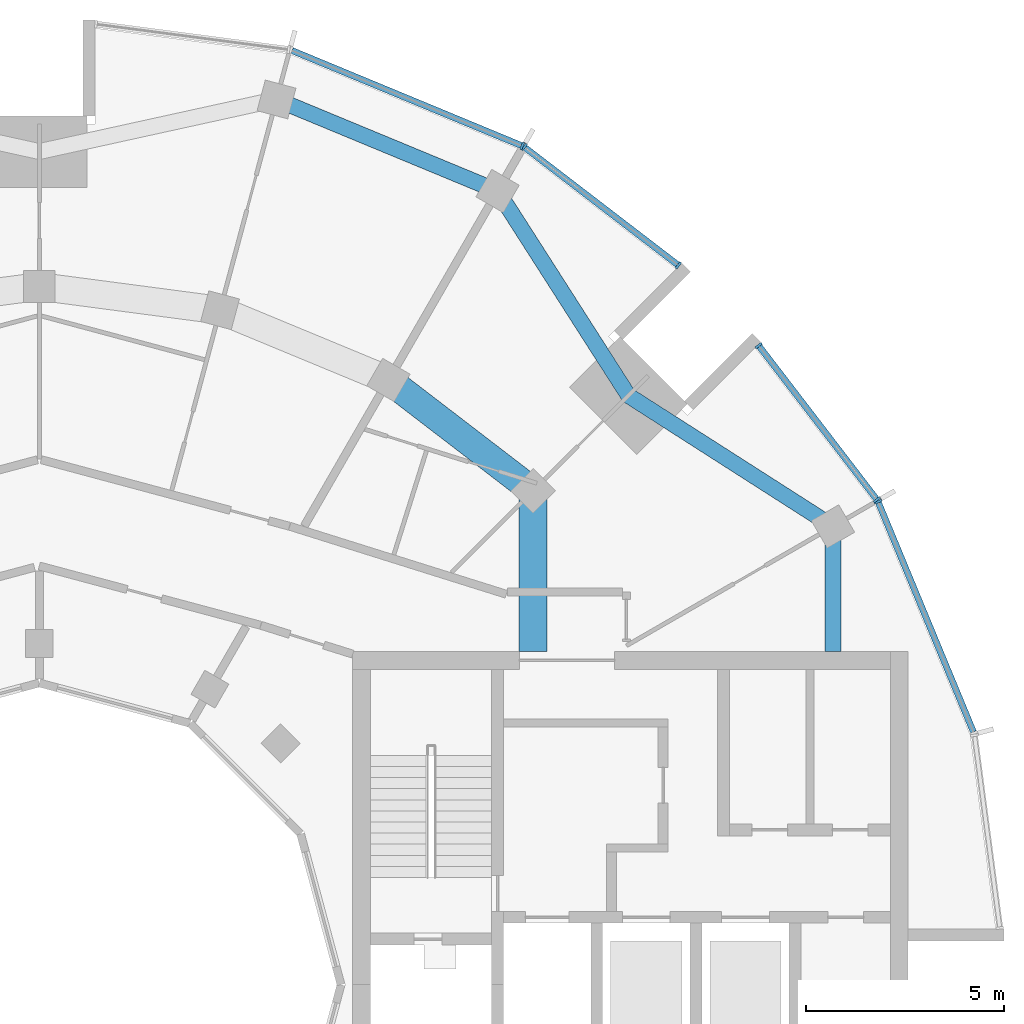
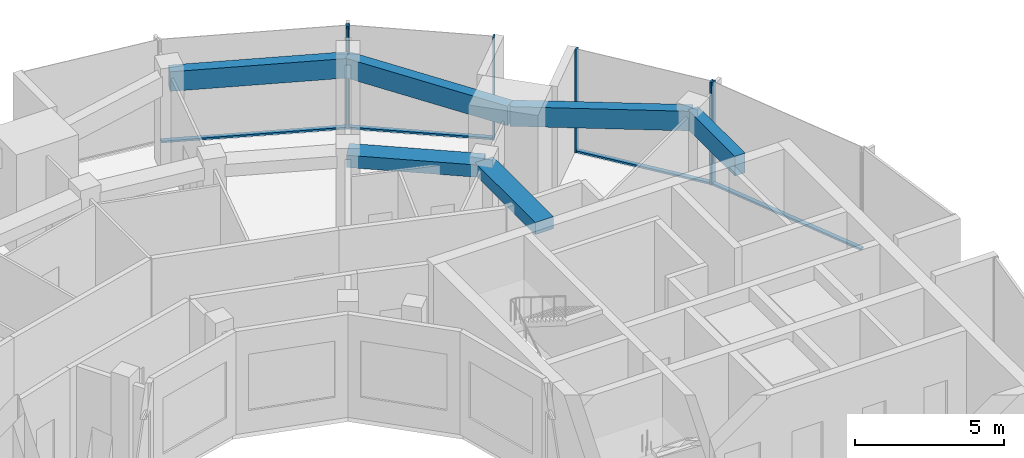
# One storey, part 6 of 15: 10 members, 6 beams, 4 elements without a shape of their own.
"""IFC4 building model written with IfcOpenShell, lengths in metres."""

import ifcopenshell
import ifcopenshell.guid

model = None  # the IFC model being written
_history = None  # IfcOwnerHistory: only IFC2X3 demands one
_inside = {}  # id of a spatial element -> (the spatial element, [elements in it])
_under = {}  # id of a project, library or spatial element -> (it, [spatial elements below it])
_declared = {}  # id of a project -> (the project, [libraries it declares])
_typed = {}  # id of a type object -> (the type object, [elements of that type])
_made_of = {}  # id of a material, layer set ... -> (it, [elements and type objects made of it])


def new_model(schema):
    """Start an empty IFC model of exactly this schema.

    Asked for "IFC4X3", IfcOpenShell would pick the latest addendum, in which some entities
    have other attributes; the version numbers below select the first issue.
    IFC2X3 requires an IfcOwnerHistory on every rooted entity: one is made here for all.
    """
    global model, _history
    if schema == "IFC4X3":
        model = ifcopenshell.file(schema_version=(4, 3, 0, 0))
    else:
        model = ifcopenshell.file(schema=schema)
    _inside.clear()
    _under.clear()
    _declared.clear()
    _typed.clear()
    _made_of.clear()
    _history = None
    if model.schema == "IFC2X3":
        org = make("IfcOrganization", Name="unknown")
        user = make(
            "IfcPersonAndOrganization",
            ThePerson=make("IfcPerson", FamilyName="unknown"),
            TheOrganization=org,
        )
        app = make(
            "IfcApplication",
            ApplicationDeveloper=org,
            Version="unknown",
            ApplicationFullName="unknown",
            ApplicationIdentifier="unknown",
        )
        _history = make(
            "IfcOwnerHistory",
            OwningUser=user,
            OwningApplication=app,
            ChangeAction="ADDED",
            CreationDate=0,
        )
    return model


def make(cls, **values):
    """One entity of the class cls with the attributes given. An attribute that is None is left unset."""
    return model.create_entity(
        cls, **{name: value for name, value in values.items() if value is not None}
    )


def rooted(cls, **values):
    """An entity with a GlobalId (a new one), such as an element, a storey or a relation."""
    return make(cls, GlobalId=ifcopenshell.guid.new(), OwnerHistory=_history, **values)


def si_unit(unit_type, name, prefix=None):
    """IfcSIUnit, for example si_unit("LENGTHUNIT", "METRE", prefix="MILLI")."""
    return make("IfcSIUnit", UnitType=unit_type, Prefix=prefix, Name=name)


def assignment(units):
    """IfcUnitAssignment: the units of a project."""
    return None if units is None else make("IfcUnitAssignment", Units=units)


def point(xyz):
    """IfcCartesianPoint."""
    return None if xyz is None else make("IfcCartesianPoint", Coordinates=xyz)


def direction(xyz):
    """IfcDirection."""
    return None if xyz is None else make("IfcDirection", DirectionRatios=xyz)


def frame(location, z_axis=None, x_axis=None):
    """IfcAxis2Placement3D, a coordinate frame: its origin and axes. An axis left out is left unset."""
    return make(
        "IfcAxis2Placement3D",
        Location=point(location),
        Axis=direction(z_axis),
        RefDirection=direction(x_axis),
    )


def frame_2d(location, x_axis=None):
    """IfcAxis2Placement2D, a coordinate frame in the plane: its origin and x axis."""
    return make(
        "IfcAxis2Placement2D", Location=point(location), RefDirection=direction(x_axis)
    )


def origin():
    """The frame at (0, 0, 0) with its axes left unset."""
    return frame((0.0, 0.0, 0.0))


def origin_2d():
    """The frame at (0, 0) in the plane with its x axis left unset."""
    return frame_2d((0.0, 0.0))


def place(relative_to, where):
    """IfcLocalPlacement: puts the frame where relative to a parent placement (None: the world)."""
    return make(
        "IfcLocalPlacement", PlacementRelTo=relative_to, RelativePlacement=where
    )


def context(
    kind, dimensions, precision=None, world=None, true_north=None, identifier=None
):
    """IfcGeometricRepresentationContext, for example the 3D "Model" context."""
    return make(
        "IfcGeometricRepresentationContext",
        ContextIdentifier=identifier,
        ContextType=kind,
        CoordinateSpaceDimension=dimensions,
        Precision=precision,
        WorldCoordinateSystem=world,
        TrueNorth=true_north,
    )


def subcontext(parent, identifier, kind, view, scale=None):
    """IfcGeometricRepresentationSubContext, for example "Body" below "Model"."""
    return make(
        "IfcGeometricRepresentationSubContext",
        ContextIdentifier=identifier,
        ContextType=kind,
        ParentContext=parent,
        TargetScale=scale,
        TargetView=view,
    )


def project(units=None, contexts=None):
    """IfcProject with its units and contexts."""
    return rooted(
        "IfcProject",
        Name="project",
        RepresentationContexts=contexts,
        UnitsInContext=assignment(units),
    )


def spatial(cls, under=None, at=None, **own):
    """A site, building, storey or space (cls), placed at a placement, below another one or the project."""
    s = rooted(cls, ObjectPlacement=at, **own)
    if under is not None:
        _under.setdefault(under.id(), (under, []))[1].append(s)
    return s


def profile(cls, at=None, kind="AREA", **sizes):
    """A parametric profile (cls). Its sizes go by their IFC names, for example OverallWidth=200.0."""
    return make(cls, ProfileType=kind, Position=at, **sizes)


def rectangle(**sizes):
    """IfcRectangleProfileDef."""
    return profile("IfcRectangleProfileDef", **sizes)


def extrude(swept, where, along, depth):
    """IfcExtrudedAreaSolid: the profile swept, set in the frame where, extruded along a direction by depth."""
    return make(
        "IfcExtrudedAreaSolid",
        SweptArea=swept,
        Position=where,
        ExtrudedDirection=direction(along),
        Depth=depth,
    )


def shape(context_of_items, identifier, shape_type, items):
    """IfcShapeRepresentation: the items that make up one representation, for example the "Body"."""
    return make(
        "IfcShapeRepresentation",
        ContextOfItems=context_of_items,
        RepresentationIdentifier=identifier,
        RepresentationType=shape_type,
        Items=items,
    )


def material(Name=None, Category=None):
    """IfcMaterial."""
    return make("IfcMaterial", Name=Name, Category=Category)


def layer(
    of_material, thickness, ventilated=None, Name=None, Category=None, Priority=None
):
    """IfcMaterialLayer: one layer of a wall or slab, of a material (None: an air gap)."""
    return make(
        "IfcMaterialLayer",
        Material=of_material,
        LayerThickness=thickness,
        IsVentilated=ventilated,
        Name=Name,
        Category=Category,
        Priority=Priority,
    )


def layer_set(layers, Name=None):
    """IfcMaterialLayerSet."""
    return make("IfcMaterialLayerSet", MaterialLayers=layers, LayerSetName=Name)


def material_profile(
    of_material, cross_section, Name=None, Category=None, Priority=None
):
    """IfcMaterialProfile: a cross section and its material."""
    return make(
        "IfcMaterialProfile",
        Name=Name,
        Material=of_material,
        Profile=cross_section,
        Priority=Priority,
        Category=Category,
    )


def profile_set(profiles, Name=None, composite=None):
    """IfcMaterialProfileSet."""
    return make(
        "IfcMaterialProfileSet",
        Name=Name,
        MaterialProfiles=profiles,
        CompositeProfile=composite,
    )


def made_of(thing, what):
    """Note that an element or type object is made of a material, layer set ...; save() writes the relation."""
    if what is not None:
        _made_of.setdefault(what.id(), (what, []))[1].append(thing)
    return thing


def type_object(cls, material=None, **own):
    """A type object (cls), such as IfcWallType, which elements share."""
    return made_of(rooted(cls, **own), material)


def element(
    cls,
    number,
    at=None,
    inside=None,
    cuts=None,
    type_object=None,
    material=None,
    context=None,
    identifier="Body",
    shape_type=None,
    held_by="IfcProductDefinitionShape",
    body=None,
    shapes=None,
    **own,
):
    """One element of the class cls, such as IfcWall. Its Tag is "e" and its number.

    at: its placement. inside: the storey or other place that contains it. cuts: it is an
    opening in that element (IfcRelVoidsElement). A single representation is given by context,
    identifier, shape_type and body (its items); several are given by shapes. held_by: the class
    of the entity that holds the representations. save() writes the other relations.
    """
    e = rooted(cls, Tag="e%d" % number, ObjectPlacement=at, **own)
    if body is not None:
        shapes = [shape(context, identifier, shape_type, body)]
    if shapes is not None:
        e.Representation = make(held_by, Representations=shapes)
    if inside is not None:
        _inside.setdefault(inside.id(), (inside, []))[1].append(e)
    if cuts is not None:
        rooted(
            "IfcRelVoidsElement", RelatingBuildingElement=cuts, RelatedOpeningElement=e
        )
    if type_object is not None:
        _typed.setdefault(type_object.id(), (type_object, []))[1].append(e)
    return made_of(e, material)


def aggregate(whole, parts):
    """IfcRelAggregates: a whole, such as a stair, and the parts it consists of."""
    return rooted("IfcRelAggregates", RelatingObject=whole, RelatedObjects=parts)


def save(model, path):
    """Write the relations noted so far, then the file.

    IfcRelAggregates (storeys below a building ...), IfcRelContainedInSpatialStructure (elements
    in a storey), IfcRelDefinesByType, IfcRelAssociatesMaterial and IfcRelDeclares: one each for
    every whole, place, type object, material and project.
    """
    for whole, parts in _under.values():
        aggregate(whole, parts)
    for where, things in _inside.values():
        rooted(
            "IfcRelContainedInSpatialStructure",
            RelatedElements=things,
            RelatingStructure=where,
        )
    for kind, things in _typed.values():
        rooted("IfcRelDefinesByType", RelatedObjects=things, RelatingType=kind)
    for what, things in _made_of.values():
        rooted("IfcRelAssociatesMaterial", RelatedObjects=things, RelatingMaterial=what)
    for by, libraries in _declared.values():
        rooted("IfcRelDeclares", RelatingContext=by, RelatedDefinitions=libraries)
    model.write(path)


model = new_model("IFC4")

# Units and contexts
model_context = context("Model", 3, precision=1e-05, world=origin(), true_north=direction((0.0, 1.0)))
body_context = subcontext(model_context, "Body", "Model", "MODEL_VIEW")
ifc_project = project(units=[si_unit("LENGTHUNIT", "METRE"), si_unit("AREAUNIT", "SQUARE_METRE"), si_unit("VOLUMEUNIT", "CUBIC_METRE"), si_unit("PLANEANGLEUNIT", "RADIAN"), si_unit("MASSUNIT", "GRAM", prefix="KILO")], contexts=[model_context])

# Site, building, storey
site_placement = place(None, origin())
site = spatial("IfcSite", under=ifc_project, at=site_placement, CompositionType="ELEMENT")
building_placement = place(site_placement, origin())
building = spatial("IfcBuilding", under=site, at=building_placement, Name="Torre Brocal", CompositionType="ELEMENT")
storey_placement = place(building_placement, frame((0.0, 0.0, 279.89990234375)))
storey = spatial("IfcBuildingStorey", under=building, at=storey_placement, Name="L64", CompositionType="ELEMENT", Elevation=279.89990234375)

# Curtain wall, member
ifc_material_1 = material(Name="Aluminium and glass", Category="aluminium")
ifc_layer = layer(ifc_material_1, 0.199951171875)
ifc_layer_set = layer_set([ifc_layer], Name="Aluminium and glass")
curtain_wall_type = type_object("IfcCurtainWallType", Name="CW-1 CURTAIN WALL 4200 HIGH", PredefinedType="NOTDEFINED", material=ifc_layer_set)
curtain_wall_1_placement = place(storey_placement, origin())
curtain_wall_1 = element("IfcCurtainWall", 1, at=curtain_wall_1_placement, inside=storey, type_object=curtain_wall_type, Name="CW-1 RUN 2", PredefinedType="NOTDEFINED")
ifc_material_2 = material(Name="Aluminium, dark anodised", Category="aluminium")
ifc_material_profile_1 = material_profile(ifc_material_2, rectangle(XDim=0.199951171875, YDim=0.06005859375, at=origin_2d()), Name="CW-1 MULLION 60X200")
ifc_profile_set_1 = profile_set([ifc_material_profile_1], Name="Aluminium, dark anodised")
member_type_1 = type_object("IfcMemberType", Name="CW-1 MULLION 60X200", PredefinedType="MULLION", material=ifc_profile_set_1)
member_1_placement = place(storey_placement, frame((101.141845703125, 87.171875, 0.0), z_axis=(0.0, 0.0, 1.0), x_axis=(-0.923879532471, -0.382683432462, 0.0)))
member_1 = element("IfcMember", 2, at=member_1_placement, type_object=member_type_1, Name="CW1-5 mullion 2", PredefinedType="MULLION", context=body_context, shape_type="SweptSolid", body=[
    extrude(rectangle(XDim=0.199951171875, YDim=0.06005859375, at=origin_2d()), origin(), (0.0, 0.0, 1.0), 4.2001953125),
])

# Curtain wall, members
curtain_wall_2_placement = place(storey_placement, origin())
curtain_wall_2 = element("IfcCurtainWall", 3, at=curtain_wall_2_placement, inside=storey, type_object=curtain_wall_type, Name="CW-1 RUN 3", PredefinedType="NOTDEFINED")
member_2_placement = place(storey_placement, frame((101.112060546875, 87.223388671875, 0.0), z_axis=(0.0, 0.0, 1.0), x_axis=(-0.793353340344, -0.608761428939, 0.0)))
member_2 = element("IfcMember", 4, at=member_2_placement, type_object=member_type_1, Name="CW1-5 mullion 1", PredefinedType="MULLION", context=body_context, shape_type="SweptSolid", body=[
    extrude(rectangle(XDim=0.199951171875, YDim=0.06005859375, at=origin_2d()), origin(), (0.0, 0.0, 1.0), 4.2001953125),
])
member_3_placement = place(storey_placement, frame((98.130615234375, 91.108642578125, 0.0), z_axis=(0.0, 0.0, 1.0), x_axis=(-0.793353340344, -0.608761428939, 0.0)))
member_3 = element("IfcMember", 5, at=member_3_placement, type_object=member_type_1, Name="CW1-5 mullion 2", PredefinedType="MULLION", context=body_context, shape_type="SweptSolid", body=[
    extrude(rectangle(XDim=0.199951171875, YDim=0.06005859375, at=origin_2d()), origin(), (0.0, 0.0, 1.0), 4.2001953125),
])

curtain_wall_3_placement = place(storey_placement, origin())
curtain_wall_3 = element("IfcCurtainWall", 6, at=curtain_wall_3_placement, inside=storey, type_object=curtain_wall_type, Name="CW-1 RUN 4", PredefinedType="NOTDEFINED")
member_4_placement = place(storey_placement, frame((96.108642578125, 93.130615234375, 0.0), z_axis=(0.0, 0.0, 1.0), x_axis=(-0.608761428939, -0.793353340344, 0.0)))
member_4 = element("IfcMember", 7, at=member_4_placement, type_object=member_type_1, Name="CW1-5 mullion 1", PredefinedType="MULLION", context=body_context, shape_type="SweptSolid", body=[
    extrude(rectangle(XDim=0.199951171875, YDim=0.06005859375, at=origin_2d()), origin(), (0.0, 0.0, 1.0), 4.2001953125),
])
member_5_placement = place(storey_placement, frame((92.223388671875, 96.112060546875, 0.0), z_axis=(0.0, 0.0, 1.0), x_axis=(-0.608761428939, -0.793353340344, 0.0)))
member_5 = element("IfcMember", 8, at=member_5_placement, type_object=member_type_1, Name="CW1-5 mullion 2", PredefinedType="MULLION", context=body_context, shape_type="SweptSolid", body=[
    extrude(rectangle(XDim=0.199951171875, YDim=0.06005859375, at=origin_2d()), origin(), (0.0, 0.0, 1.0), 4.2001953125),
])

# Curtain wall, member
curtain_wall_4_placement = place(storey_placement, origin())
curtain_wall_4 = element("IfcCurtainWall", 9, at=curtain_wall_4_placement, inside=storey, type_object=curtain_wall_type, Name="CW-1 RUN 5", PredefinedType="NOTDEFINED")
member_6_placement = place(storey_placement, frame((92.171875, 96.141845703125, 0.0), z_axis=(0.0, 0.0, 1.0), x_axis=(-0.382683432462, -0.923879532471, 0.0)))
member_6 = element("IfcMember", 10, at=member_6_placement, type_object=member_type_1, Name="CW1-5 mullion 1", PredefinedType="MULLION", context=body_context, shape_type="SweptSolid", body=[
    extrude(rectangle(XDim=0.199951171875, YDim=0.06005859375, at=origin_2d()), origin(), (0.0, 0.0, 1.0), 4.2001953125),
])

# Member
ifc_material_3 = material(Name="Aluminium, dark anodised", Category="aluminium")
ifc_material_profile_2 = material_profile(ifc_material_3, rectangle(XDim=0.159912109375, YDim=0.080078125, at=origin_2d()), Name="CW-1 TRANSOM 160X80")
ifc_profile_set_2 = profile_set([ifc_material_profile_2], Name="Aluminium, dark anodised")
member_type_2 = type_object("IfcMemberType", Name="CW-1 TRANSOM 160X80", PredefinedType="USERDEFINED", material=ifc_profile_set_2)
member_7_placement = place(storey_placement, frame((103.544677734375, 81.370361328125, 0.0400390625), z_axis=(-0.382658872004, 0.923889705363, 0.0), x_axis=(-0.923889705363, -0.382658872004, 0.0)))
member_7 = element("IfcMember", 11, at=member_7_placement, type_object=member_type_2, Name="CW1-5 transom 1.1", ObjectType="TRANSOM", PredefinedType="USERDEFINED", context=body_context, shape_type="SweptSolid", body=[
    extrude(rectangle(XDim=0.159912109375, YDim=0.080078125, at=origin_2d()), origin(), (0.0, 0.0, 1.0), 6.249267578125),
])

aggregate(curtain_wall_1, [member_1, member_7])

member_8_placement = place(storey_placement, frame((101.09375, 87.2470703125, 0.0400390625), z_axis=(-0.608749350163, 0.793362608569, 0.0), x_axis=(-0.793362608569, -0.608749350163, 0.0)))
member_8 = element("IfcMember", 12, at=member_8_placement, type_object=member_type_2, Name="CW1-5 transom 1.1", ObjectType="TRANSOM", PredefinedType="USERDEFINED", context=body_context, shape_type="SweptSolid", body=[
    extrude(rectangle(XDim=0.159912109375, YDim=0.080078125, at=origin_2d()), origin(), (0.0, 0.0, 1.0), 4.83740234375),
])

aggregate(curtain_wall_2, [member_2, member_3, member_8])

member_9_placement = place(storey_placement, frame((96.0849609375, 93.14892578125, 0.0400390625), z_axis=(-0.793362608569, 0.608749350163, 0.0), x_axis=(-0.608749350163, -0.793362608569, 0.0)))
member_9 = element("IfcMember", 13, at=member_9_placement, type_object=member_type_2, Name="CW1-5 transom 1.1", ObjectType="TRANSOM", PredefinedType="USERDEFINED", context=body_context, shape_type="SweptSolid", body=[
    extrude(rectangle(XDim=0.159912109375, YDim=0.080078125, at=origin_2d()), origin(), (0.0, 0.0, 1.0), 4.83740234375),
])

aggregate(curtain_wall_3, [member_4, member_5, member_9])

member_10_placement = place(storey_placement, frame((92.14404296875, 96.1533203125, 0.0400390625), z_axis=(-0.923889705363, 0.382658872004, 0.0), x_axis=(-0.382658872004, -0.923889705363, 0.0)))
member_10 = element("IfcMember", 14, at=member_10_placement, type_object=member_type_2, Name="CW1-5 transom 1.1", ObjectType="TRANSOM", PredefinedType="USERDEFINED", context=body_context, shape_type="SweptSolid", body=[
    extrude(rectangle(XDim=0.159912109375, YDim=0.080078125, at=origin_2d()), origin(), (0.0, 0.0, 1.0), 6.249267578125),
])

aggregate(curtain_wall_4, [member_6, member_10])

# Beams
ifc_material_4 = material(Name="Concrete C50", Category="concrete")
ifc_material_profile_3 = material_profile(ifc_material_4, rectangle(XDim=0.699951171875, YDim=0.5, at=origin_2d()), Name="RC 700X500")
ifc_profile_set_3 = profile_set([ifc_material_profile_3], Name="Concrete C50")
beam_type_1 = type_object("IfcBeamType", Name="RC BEAM 700X500 C50 TOP 3880", PredefinedType="BEAM", material=ifc_profile_set_3)
beam_1_placement = place(storey_placement, frame((92.445068359375, 87.445068359375, 3.630126953125), z_axis=(-0.793358265959, 0.6087550097, 0.0), x_axis=(-0.6087550097, -0.793358265959, 0.0)))
element("IfcBeam", 15, at=beam_1_placement, inside=storey, type_object=beam_type_1, Name="Beam BT-37", PredefinedType="BEAM", context=body_context, shape_type="SweptSolid", body=[
    extrude(rectangle(XDim=0.699951171875, YDim=0.5, at=origin_2d()), origin(), (0.0, 0.0, 1.0), 4.594482421875),
])
beam_2_placement = place(storey_placement, frame((92.445068359375, 87.445068359375, 3.630126953125), z_axis=(0.0, -1.0, 0.0), x_axis=(1.0, 0.0, 0.0)))
element("IfcBeam", 16, at=beam_2_placement, inside=storey, type_object=beam_type_1, Name="Beam BT-37", PredefinedType="BEAM", context=body_context, shape_type="SweptSolid", body=[
    extrude(rectangle(XDim=0.699951171875, YDim=0.5, at=origin_2d()), origin(), (0.0, 0.0, 1.0), 4.045166015625),
])
ifc_material_5 = material(Name="Concrete C50", Category="concrete")
ifc_material_profile_4 = material_profile(ifc_material_5, rectangle(XDim=0.39990234375, YDim=0.800048828125, at=origin_2d()), Name="RC 400X800")
ifc_profile_set_4 = profile_set([ifc_material_profile_4], Name="Concrete C50")
beam_type_2 = type_object("IfcBeamType", Name="RC SPANDREL BEAM 400X800 C50 TOP 3880", PredefinedType="SPANDREL", material=ifc_profile_set_4)
for number, where, z_axis, x_axis, name in (
    (17, (100.005126953125, 86.550048828125, 3.47998046875), (-0.842328620069, 0.538964280647, 0.0), (-0.538964280647, -0.842328620069, 0.0), "Beam BT-47"),
    (18, (94.84912109375, 89.84912109375, 3.47998046875), (-0.538964280647, 0.842328620069, 0.0), (-0.842328620069, -0.538964280647, 0.0), "Beam BT-47"),
):
    element("IfcBeam", number, at=place(storey_placement, frame(where, z_axis=z_axis, x_axis=x_axis)), inside=storey, type_object=beam_type_2, Name=name, PredefinedType="SPANDREL", context=body_context, shape_type="SweptSolid", body=[
        extrude(rectangle(XDim=0.39990234375, YDim=0.800048828125, at=origin_2d()), origin(), (0.0, 0.0, 1.0), 6.12109375),
    ])
beam_3_placement = place(storey_placement, frame((91.550048828125, 95.005126953125, 3.47998046875), z_axis=(-0.923870278372, 0.38270577307, 0.0), x_axis=(-0.38270577307, -0.923870278372, 0.0)))
element("IfcBeam", 19, at=beam_3_placement, inside=storey, type_object=beam_type_2, Name="Beam BT-47", PredefinedType="SPANDREL", context=body_context, shape_type="SweptSolid", body=[
    extrude(rectangle(XDim=0.39990234375, YDim=0.800048828125, at=origin_2d()), origin(), (0.0, 0.0, 1.0), 6.0302734375),
])
beam_4_placement = place(storey_placement, frame((100.005126953125, 86.550048828125, 3.47998046875), z_axis=(0.0, -1.0, 0.0), x_axis=(1.0, 0.0, 0.0)))
element("IfcBeam", 20, at=beam_4_placement, inside=storey, type_object=beam_type_2, Name="Beam BT-47", PredefinedType="SPANDREL", context=body_context, shape_type="SweptSolid", body=[
    extrude(rectangle(XDim=0.39990234375, YDim=0.800048828125, at=origin_2d()), origin(), (0.0, 0.0, 1.0), 3.150146484375),
])

save(model, "model.ifc")
